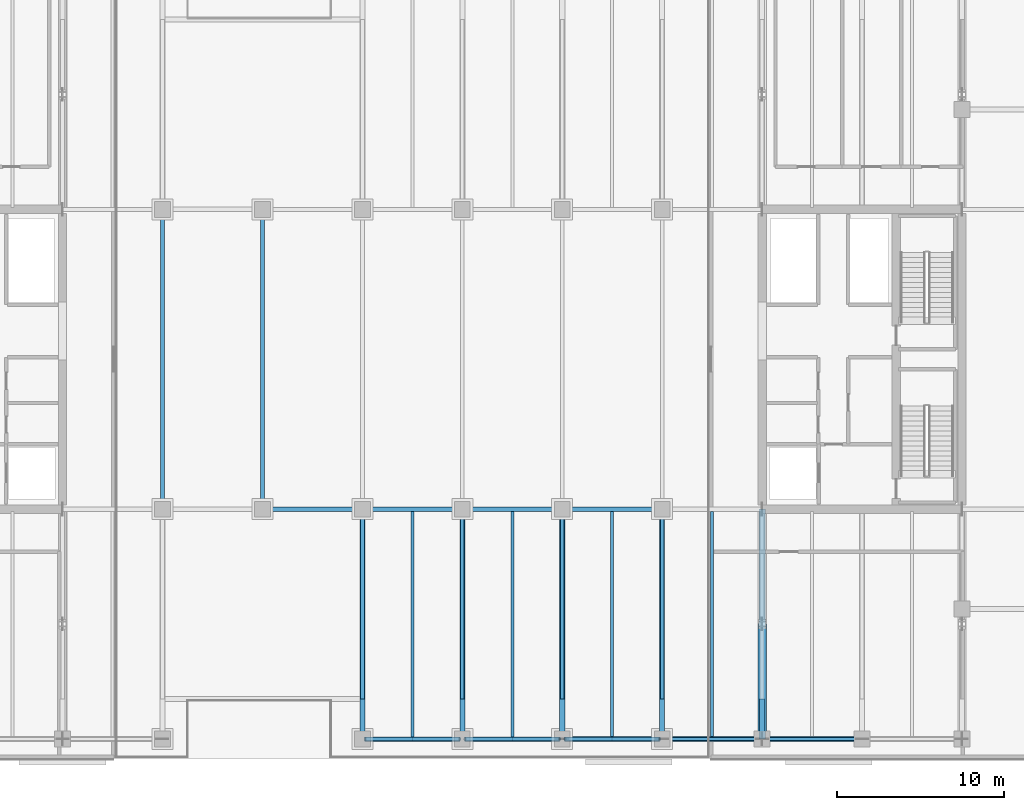
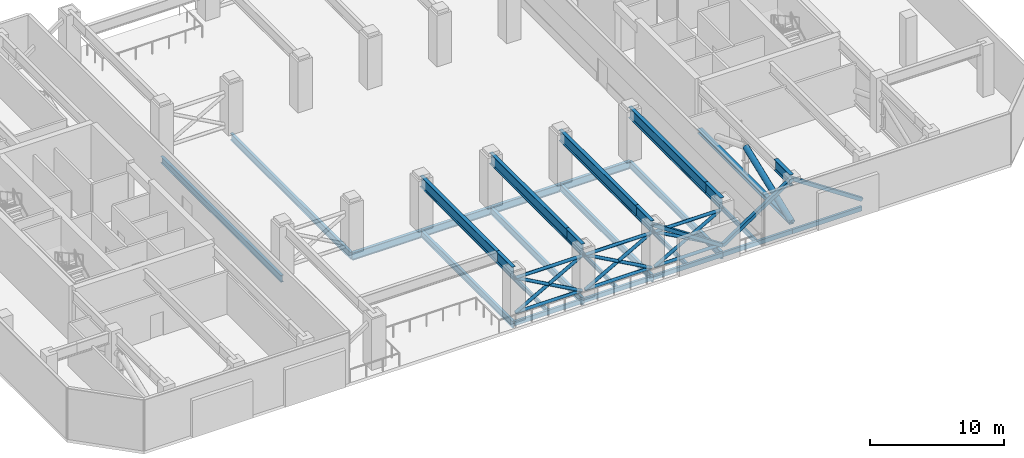
# One storey, part 3 of 21: 28 beams, 17 members.
"""IFC4 building model written with IfcOpenShell, lengths in metres."""

import ifcopenshell
import ifcopenshell.guid

model = None  # the IFC model being written
_history = None  # IfcOwnerHistory: only IFC2X3 demands one
_inside = {}  # id of a spatial element -> (the spatial element, [elements in it])
_under = {}  # id of a project, library or spatial element -> (it, [spatial elements below it])
_declared = {}  # id of a project -> (the project, [libraries it declares])
_typed = {}  # id of a type object -> (the type object, [elements of that type])
_made_of = {}  # id of a material, layer set ... -> (it, [elements and type objects made of it])


def new_model(schema):
    """Start an empty IFC model of exactly this schema.

    Asked for "IFC4X3", IfcOpenShell would pick the latest addendum, in which some entities
    have other attributes; the version numbers below select the first issue.
    IFC2X3 requires an IfcOwnerHistory on every rooted entity: one is made here for all.
    """
    global model, _history
    if schema == "IFC4X3":
        model = ifcopenshell.file(schema_version=(4, 3, 0, 0))
    else:
        model = ifcopenshell.file(schema=schema)
    _inside.clear()
    _under.clear()
    _declared.clear()
    _typed.clear()
    _made_of.clear()
    _history = None
    if model.schema == "IFC2X3":
        org = make("IfcOrganization", Name="unknown")
        user = make(
            "IfcPersonAndOrganization",
            ThePerson=make("IfcPerson", FamilyName="unknown"),
            TheOrganization=org,
        )
        app = make(
            "IfcApplication",
            ApplicationDeveloper=org,
            Version="unknown",
            ApplicationFullName="unknown",
            ApplicationIdentifier="unknown",
        )
        _history = make(
            "IfcOwnerHistory",
            OwningUser=user,
            OwningApplication=app,
            ChangeAction="ADDED",
            CreationDate=0,
        )
    return model


def make(cls, **values):
    """One entity of the class cls with the attributes given. An attribute that is None is left unset."""
    return model.create_entity(
        cls, **{name: value for name, value in values.items() if value is not None}
    )


def rooted(cls, **values):
    """An entity with a GlobalId (a new one), such as an element, a storey or a relation."""
    return make(cls, GlobalId=ifcopenshell.guid.new(), OwnerHistory=_history, **values)


def si_unit(unit_type, name, prefix=None):
    """IfcSIUnit, for example si_unit("LENGTHUNIT", "METRE", prefix="MILLI")."""
    return make("IfcSIUnit", UnitType=unit_type, Prefix=prefix, Name=name)


def assignment(units):
    """IfcUnitAssignment: the units of a project."""
    return None if units is None else make("IfcUnitAssignment", Units=units)


def point(xyz):
    """IfcCartesianPoint."""
    return None if xyz is None else make("IfcCartesianPoint", Coordinates=xyz)


def direction(xyz):
    """IfcDirection."""
    return None if xyz is None else make("IfcDirection", DirectionRatios=xyz)


def frame(location, z_axis=None, x_axis=None):
    """IfcAxis2Placement3D, a coordinate frame: its origin and axes. An axis left out is left unset."""
    return make(
        "IfcAxis2Placement3D",
        Location=point(location),
        Axis=direction(z_axis),
        RefDirection=direction(x_axis),
    )


def frame_2d(location, x_axis=None):
    """IfcAxis2Placement2D, a coordinate frame in the plane: its origin and x axis."""
    return make(
        "IfcAxis2Placement2D", Location=point(location), RefDirection=direction(x_axis)
    )


def origin():
    """The frame at (0, 0, 0) with its axes left unset."""
    return frame((0.0, 0.0, 0.0))


def origin_2d():
    """The frame at (0, 0) in the plane with its x axis left unset."""
    return frame_2d((0.0, 0.0))


def place(relative_to, where):
    """IfcLocalPlacement: puts the frame where relative to a parent placement (None: the world)."""
    return make(
        "IfcLocalPlacement", PlacementRelTo=relative_to, RelativePlacement=where
    )


def context(
    kind, dimensions, precision=None, world=None, true_north=None, identifier=None
):
    """IfcGeometricRepresentationContext, for example the 3D "Model" context."""
    return make(
        "IfcGeometricRepresentationContext",
        ContextIdentifier=identifier,
        ContextType=kind,
        CoordinateSpaceDimension=dimensions,
        Precision=precision,
        WorldCoordinateSystem=world,
        TrueNorth=true_north,
    )


def subcontext(parent, identifier, kind, view, scale=None):
    """IfcGeometricRepresentationSubContext, for example "Body" below "Model"."""
    return make(
        "IfcGeometricRepresentationSubContext",
        ContextIdentifier=identifier,
        ContextType=kind,
        ParentContext=parent,
        TargetScale=scale,
        TargetView=view,
    )


def project(units=None, contexts=None):
    """IfcProject with its units and contexts."""
    return rooted(
        "IfcProject",
        Name="project",
        RepresentationContexts=contexts,
        UnitsInContext=assignment(units),
    )


def spatial(cls, under=None, at=None, **own):
    """A site, building, storey or space (cls), placed at a placement, below another one or the project."""
    s = rooted(cls, ObjectPlacement=at, **own)
    if under is not None:
        _under.setdefault(under.id(), (under, []))[1].append(s)
    return s


def profile(cls, at=None, kind="AREA", **sizes):
    """A parametric profile (cls). Its sizes go by their IFC names, for example OverallWidth=200.0."""
    return make(cls, ProfileType=kind, Position=at, **sizes)


def hollow_rectangle(**sizes):
    """IfcRectangleHollowProfileDef."""
    return profile("IfcRectangleHollowProfileDef", **sizes)


def hollow_circle(**sizes):
    """IfcCircleHollowProfileDef."""
    return profile("IfcCircleHollowProfileDef", **sizes)


def i_section(**sizes):
    """IfcIShapeProfileDef."""
    return profile("IfcIShapeProfileDef", **sizes)


def extrude(swept, where, along, depth):
    """IfcExtrudedAreaSolid: the profile swept, set in the frame where, extruded along a direction by depth."""
    return make(
        "IfcExtrudedAreaSolid",
        SweptArea=swept,
        Position=where,
        ExtrudedDirection=direction(along),
        Depth=depth,
    )


def shape(context_of_items, identifier, shape_type, items):
    """IfcShapeRepresentation: the items that make up one representation, for example the "Body"."""
    return make(
        "IfcShapeRepresentation",
        ContextOfItems=context_of_items,
        RepresentationIdentifier=identifier,
        RepresentationType=shape_type,
        Items=items,
    )


def material(Name=None, Category=None):
    """IfcMaterial."""
    return make("IfcMaterial", Name=Name, Category=Category)


def material_profile(
    of_material, cross_section, Name=None, Category=None, Priority=None
):
    """IfcMaterialProfile: a cross section and its material."""
    return make(
        "IfcMaterialProfile",
        Name=Name,
        Material=of_material,
        Profile=cross_section,
        Priority=Priority,
        Category=Category,
    )


def profile_set(profiles, Name=None, composite=None):
    """IfcMaterialProfileSet."""
    return make(
        "IfcMaterialProfileSet",
        Name=Name,
        MaterialProfiles=profiles,
        CompositeProfile=composite,
    )


def made_of(thing, what):
    """Note that an element or type object is made of a material, layer set ...; save() writes the relation."""
    if what is not None:
        _made_of.setdefault(what.id(), (what, []))[1].append(thing)
    return thing


def type_object(cls, material=None, **own):
    """A type object (cls), such as IfcWallType, which elements share."""
    return made_of(rooted(cls, **own), material)


def element(
    cls,
    number,
    at=None,
    inside=None,
    cuts=None,
    type_object=None,
    material=None,
    context=None,
    identifier="Body",
    shape_type=None,
    held_by="IfcProductDefinitionShape",
    body=None,
    shapes=None,
    **own,
):
    """One element of the class cls, such as IfcWall. Its Tag is "e" and its number.

    at: its placement. inside: the storey or other place that contains it. cuts: it is an
    opening in that element (IfcRelVoidsElement). A single representation is given by context,
    identifier, shape_type and body (its items); several are given by shapes. held_by: the class
    of the entity that holds the representations. save() writes the other relations.
    """
    e = rooted(cls, Tag="e%d" % number, ObjectPlacement=at, **own)
    if body is not None:
        shapes = [shape(context, identifier, shape_type, body)]
    if shapes is not None:
        e.Representation = make(held_by, Representations=shapes)
    if inside is not None:
        _inside.setdefault(inside.id(), (inside, []))[1].append(e)
    if cuts is not None:
        rooted(
            "IfcRelVoidsElement", RelatingBuildingElement=cuts, RelatedOpeningElement=e
        )
    if type_object is not None:
        _typed.setdefault(type_object.id(), (type_object, []))[1].append(e)
    return made_of(e, material)


def aggregate(whole, parts):
    """IfcRelAggregates: a whole, such as a stair, and the parts it consists of."""
    return rooted("IfcRelAggregates", RelatingObject=whole, RelatedObjects=parts)


def save(model, path):
    """Write the relations noted so far, then the file.

    IfcRelAggregates (storeys below a building ...), IfcRelContainedInSpatialStructure (elements
    in a storey), IfcRelDefinesByType, IfcRelAssociatesMaterial and IfcRelDeclares: one each for
    every whole, place, type object, material and project.
    """
    for whole, parts in _under.values():
        aggregate(whole, parts)
    for where, things in _inside.values():
        rooted(
            "IfcRelContainedInSpatialStructure",
            RelatedElements=things,
            RelatingStructure=where,
        )
    for kind, things in _typed.values():
        rooted("IfcRelDefinesByType", RelatedObjects=things, RelatingType=kind)
    for what, things in _made_of.values():
        rooted("IfcRelAssociatesMaterial", RelatedObjects=things, RelatingMaterial=what)
    for by, libraries in _declared.values():
        rooted("IfcRelDeclares", RelatingContext=by, RelatedDefinitions=libraries)
    model.write(path)


model = new_model("IFC4")

# Units and contexts
model_context = context("Model", 3, precision=1e-05, world=origin(), true_north=direction((0.0, 1.0)))
body_context = subcontext(model_context, "Body", "Model", "MODEL_VIEW")
ifc_project = project(units=[si_unit("LENGTHUNIT", "METRE"), si_unit("AREAUNIT", "SQUARE_METRE"), si_unit("VOLUMEUNIT", "CUBIC_METRE"), si_unit("PLANEANGLEUNIT", "RADIAN"), si_unit("MASSUNIT", "GRAM", prefix="KILO")], contexts=[model_context])

# Site, building, storey
site_placement = place(None, origin())
site = spatial("IfcSite", under=ifc_project, at=site_placement, CompositionType="ELEMENT")
building_placement = place(site_placement, origin())
building = spatial("IfcBuilding", under=site, at=building_placement, Name="Tanjung Sevakor Pilgrim Tower", CompositionType="ELEMENT")
storey_placement = place(building_placement, frame((0.0, 0.0, 123.090087890625)))
storey = spatial("IfcBuildingStorey", under=building, at=storey_placement, Name="L34", CompositionType="ELEMENT", Elevation=123.090087890625)

# Beams
ifc_material_1 = material(Name="Steel S355J2", Category="steel")
ifc_material_profile_1 = material_profile(ifc_material_1, i_section(OverallWidth=0.25439453125, OverallDepth=0.6875, WebThickness=0.01318359375, FlangeThickness=0.02099609375, FilletRadius=0.01513671875, at=origin_2d()))
ifc_profile_set_1 = profile_set([ifc_material_profile_1], Name="Steel S355J2")
beam_type_1 = type_object("IfcBeamType", Name="BM-B-G2-UB_686x254x152", PredefinedType="BEAM", material=ifc_profile_set_1)
for number, where, z_axis, x_axis, name in (
    (1, (48.0, 24.60009765625, -0.623779296875), (1.0, 0.0, 0.0), (0.0, 1.0, 0.0), "L34 Primary Floor Girder MAIN Y246-04"),
    (2, (54.0, 24.60009765625, -0.623779296875), (1.0, 0.0, 0.0), (0.0, 1.0, 0.0), "L34 Primary Floor Girder MAIN Y246-05"),
    (3, (60.0, 24.60009765625, -0.623779296875), (1.0, 0.0, 0.0), (0.0, 1.0, 0.0), "L34 Primary Floor Girder MAIN Y246-06"),
    (4, (66.0, 24.60009765625, -0.623779296875), (1.0, 0.0, 0.0), (0.0, 1.0, 0.0), "L34 Primary Floor Girder MAIN Y246-07"),
):
    element("IfcBeam", number, at=place(storey_placement, frame(where, z_axis=z_axis, x_axis=x_axis)), inside=storey, type_object=beam_type_1, Name=name, PredefinedType="BEAM", context=body_context, shape_type="SweptSolid", body=[
        extrude(i_section(OverallWidth=0.25439453125, OverallDepth=0.6875, WebThickness=0.01318359375, FlangeThickness=0.02099609375, FilletRadius=0.01513671875, at=origin_2d()), origin(), (0.0, 0.0, 1.0), 6.0),
    ])
ifc_material_2 = material(Name="Steel S355J2", Category="steel")
ifc_material_profile_2 = material_profile(ifc_material_2, i_section(OverallWidth=0.230224609375, OverallDepth=0.6171875, WebThickness=0.01318359375, FlangeThickness=0.022216796875, FilletRadius=0.0126953125, at=origin_2d()))
ifc_profile_set_2 = profile_set([ifc_material_profile_2], Name="Steel S355J2")
beam_type_2 = type_object("IfcBeamType", Name="BM-B-G3-UB_610x229x140", PredefinedType="BEAM", material=ifc_profile_set_2)
for number, where, z_axis, x_axis, name in (
    (5, (42.0, 24.60009765625, -0.588623046875), (0.0, 1.0, 0.0), (-1.0, 0.0, 0.0), "L34 MAIN Girder 014"),
    (6, (48.0, 24.60009765625, -0.588623046875), (0.0, 1.0, 0.0), (-1.0, 0.0, 0.0), "L34 MAIN Girder 016"),
):
    element("IfcBeam", number, at=place(storey_placement, frame(where, z_axis=z_axis, x_axis=x_axis)), inside=storey, type_object=beam_type_2, Name=name, PredefinedType="BEAM", context=body_context, shape_type="SweptSolid", body=[
        extrude(i_section(OverallWidth=0.230224609375, OverallDepth=0.6171875, WebThickness=0.01318359375, FlangeThickness=0.022216796875, FilletRadius=0.0126953125, at=origin_2d()), origin(), (0.0, 0.0, 1.0), 18.0),
    ])
for number, where, z_axis, x_axis, name in (
    (7, (54.0, 10.800048828125, -0.588623046875), (0.0, 1.0, 0.0), (-1.0, 0.0, 0.0), "L34 MAIN Girder 017"),
    (8, (60.0, 10.800048828125, -0.588623046875), (0.0, 1.0, 0.0), (-1.0, 0.0, 0.0), "L34 MAIN Girder 022"),
    (9, (66.0, 10.800048828125, -0.588623046875), (0.0, 1.0, 0.0), (-1.0, 0.0, 0.0), "L34 MAIN Girder 027"),
    (10, (72.0, 10.800048828125, -0.588623046875), (0.0, 1.0, 0.0), (-1.0, 0.0, 0.0), "L34 MAIN Girder 032"),
):
    element("IfcBeam", number, at=place(storey_placement, frame(where, z_axis=z_axis, x_axis=x_axis)), inside=storey, type_object=beam_type_2, Name=name, PredefinedType="BEAM", context=body_context, shape_type="SweptSolid", body=[
        extrude(i_section(OverallWidth=0.230224609375, OverallDepth=0.6171875, WebThickness=0.01318359375, FlangeThickness=0.022216796875, FilletRadius=0.0126953125, at=origin_2d()), origin(), (0.0, 0.0, 1.0), 13.800048828125),
    ])
ifc_material_3 = material(Name="Steel S460M", Category="steel")
ifc_material_profile_3 = material_profile(ifc_material_3, i_section(OverallWidth=0.302001953125, OverallDepth=1.008056640625, WebThickness=0.02099609375, FlangeThickness=0.0400390625, FilletRadius=0.030029296875, at=origin_2d()))
ifc_profile_set_3 = profile_set([ifc_material_profile_3], Name="Steel S460M")
beam_type_3 = type_object("IfcBeamType", Name="BM-B-G7-HE_1000M", PredefinedType="BEAM", material=ifc_profile_set_3)
beam_1_placement = place(storey_placement, frame((54.0, 10.800048828125, 4.166015625), z_axis=(0.0, 1.0, 0.0), x_axis=(-1.0, 0.0, 0.0)))
element("IfcBeam", 11, at=beam_1_placement, inside=storey, type_object=beam_type_3, Name="L34 Setback Transfer Girder South X54-1", PredefinedType="BEAM", context=body_context, shape_type="SweptSolid", body=[
    extrude(i_section(OverallWidth=0.302001953125, OverallDepth=1.008056640625, WebThickness=0.02099609375, FlangeThickness=0.0400390625, FilletRadius=0.030029296875, at=origin_2d()), origin(), (0.0, 0.0, 1.0), 2.39990234375),
])
beam_2_placement = place(storey_placement, frame((54.0, 13.199951171875, 4.166015625), z_axis=(0.0, 1.0, 0.0), x_axis=(-1.0, 0.0, 0.0)))
element("IfcBeam", 12, at=beam_2_placement, inside=storey, type_object=beam_type_3, Name="L34 Setback Transfer Girder South X54-2", PredefinedType="BEAM", context=body_context, shape_type="SweptSolid", body=[
    extrude(i_section(OverallWidth=0.302001953125, OverallDepth=1.008056640625, WebThickness=0.02099609375, FlangeThickness=0.0400390625, FilletRadius=0.030029296875, at=origin_2d()), origin(), (0.0, 0.0, 1.0), 11.400146484375),
])
beam_3_placement = place(storey_placement, frame((60.0, 10.800048828125, 4.166015625), z_axis=(0.0, 1.0, 0.0), x_axis=(-1.0, 0.0, 0.0)))
element("IfcBeam", 13, at=beam_3_placement, inside=storey, type_object=beam_type_3, Name="L34 Setback Transfer Girder South X60-1", PredefinedType="BEAM", context=body_context, shape_type="SweptSolid", body=[
    extrude(i_section(OverallWidth=0.302001953125, OverallDepth=1.008056640625, WebThickness=0.02099609375, FlangeThickness=0.0400390625, FilletRadius=0.030029296875, at=origin_2d()), origin(), (0.0, 0.0, 1.0), 2.39990234375),
])
beam_4_placement = place(storey_placement, frame((60.0, 13.199951171875, 4.166015625), z_axis=(0.0, 1.0, 0.0), x_axis=(-1.0, 0.0, 0.0)))
element("IfcBeam", 14, at=beam_4_placement, inside=storey, type_object=beam_type_3, Name="L34 Setback Transfer Girder South X60-2", PredefinedType="BEAM", context=body_context, shape_type="SweptSolid", body=[
    extrude(i_section(OverallWidth=0.302001953125, OverallDepth=1.008056640625, WebThickness=0.02099609375, FlangeThickness=0.0400390625, FilletRadius=0.030029296875, at=origin_2d()), origin(), (0.0, 0.0, 1.0), 11.400146484375),
])
beam_5_placement = place(storey_placement, frame((66.0, 10.800048828125, 4.166015625), z_axis=(0.0, 1.0, 0.0), x_axis=(-1.0, 0.0, 0.0)))
element("IfcBeam", 15, at=beam_5_placement, inside=storey, type_object=beam_type_3, Name="L34 Setback Transfer Girder South X66-1", PredefinedType="BEAM", context=body_context, shape_type="SweptSolid", body=[
    extrude(i_section(OverallWidth=0.302001953125, OverallDepth=1.008056640625, WebThickness=0.02099609375, FlangeThickness=0.0400390625, FilletRadius=0.030029296875, at=origin_2d()), origin(), (0.0, 0.0, 1.0), 2.39990234375),
])
beam_6_placement = place(storey_placement, frame((66.0, 13.199951171875, 4.166015625), z_axis=(0.0, 1.0, 0.0), x_axis=(-1.0, 0.0, 0.0)))
element("IfcBeam", 16, at=beam_6_placement, inside=storey, type_object=beam_type_3, Name="L34 Setback Transfer Girder South X66-2", PredefinedType="BEAM", context=body_context, shape_type="SweptSolid", body=[
    extrude(i_section(OverallWidth=0.302001953125, OverallDepth=1.008056640625, WebThickness=0.02099609375, FlangeThickness=0.0400390625, FilletRadius=0.030029296875, at=origin_2d()), origin(), (0.0, 0.0, 1.0), 11.400146484375),
])
beam_7_placement = place(storey_placement, frame((72.0, 10.800048828125, 4.166015625), z_axis=(0.0, 1.0, 0.0), x_axis=(-1.0, 0.0, 0.0)))
element("IfcBeam", 17, at=beam_7_placement, inside=storey, type_object=beam_type_3, Name="L34 Setback Transfer Girder South X72-1", PredefinedType="BEAM", context=body_context, shape_type="SweptSolid", body=[
    extrude(i_section(OverallWidth=0.302001953125, OverallDepth=1.008056640625, WebThickness=0.02099609375, FlangeThickness=0.0400390625, FilletRadius=0.030029296875, at=origin_2d()), origin(), (0.0, 0.0, 1.0), 2.39990234375),
])
beam_8_placement = place(storey_placement, frame((72.0, 13.199951171875, 4.166015625), z_axis=(0.0, 1.0, 0.0), x_axis=(-1.0, 0.0, 0.0)))
element("IfcBeam", 18, at=beam_8_placement, inside=storey, type_object=beam_type_3, Name="L34 Setback Transfer Girder South X72-2", PredefinedType="BEAM", context=body_context, shape_type="SweptSolid", body=[
    extrude(i_section(OverallWidth=0.302001953125, OverallDepth=1.008056640625, WebThickness=0.02099609375, FlangeThickness=0.0400390625, FilletRadius=0.030029296875, at=origin_2d()), origin(), (0.0, 0.0, 1.0), 11.400146484375),
])
beam_9_placement = place(storey_placement, frame((78.0, 10.800048828125, 4.166015625), z_axis=(0.0, 1.0, 0.0), x_axis=(-1.0, 0.0, 0.0)))
element("IfcBeam", 19, at=beam_9_placement, inside=storey, type_object=beam_type_3, Name="L34 Setback Transfer Girder South X78-1", PredefinedType="BEAM", context=body_context, shape_type="SweptSolid", body=[
    extrude(i_section(OverallWidth=0.302001953125, OverallDepth=1.008056640625, WebThickness=0.02099609375, FlangeThickness=0.0400390625, FilletRadius=0.030029296875, at=origin_2d()), origin(), (0.0, 0.0, 1.0), 2.39990234375),
])
ifc_material_4 = material(Name="Steel S355J2", Category="steel")
ifc_material_profile_4 = material_profile(ifc_material_4, i_section(OverallWidth=0.1787109375, OverallDepth=0.409423828125, WebThickness=0.0087890625, FlangeThickness=0.014404296875, FilletRadius=0.01025390625, at=origin_2d()))
ifc_profile_set_4 = profile_set([ifc_material_profile_4], Name="Steel S355J2")
beam_type_4 = type_object("IfcBeamType", Name="BM-B-J3-UB_406x178x67", PredefinedType="JOIST", material=ifc_profile_set_4)
for number, where, z_axis, x_axis, name in (
    (20, (57.0, 10.89990234375, -0.48486328125), (0.0, 1.0, 0.0), (-1.0, 0.0, 0.0), "L34 MAIN Joist 020"),
    (21, (63.0, 10.89990234375, -0.48486328125), (0.0, 1.0, 0.0), (-1.0, 0.0, 0.0), "L34 MAIN Joist 025"),
    (22, (69.0, 10.89990234375, -0.48486328125), (0.0, 1.0, 0.0), (-1.0, 0.0, 0.0), "L34 MAIN Joist 030"),
    (23, (75.0, 10.89990234375, -0.48486328125), (0.0, 1.0, 0.0), (-1.0, 0.0, 0.0), "L34 MAIN Joist 035"),
):
    element("IfcBeam", number, at=place(storey_placement, frame(where, z_axis=z_axis, x_axis=x_axis)), inside=storey, type_object=beam_type_4, Name=name, PredefinedType="JOIST", context=body_context, shape_type="SweptSolid", body=[
        extrude(i_section(OverallWidth=0.1787109375, OverallDepth=0.409423828125, WebThickness=0.0087890625, FlangeThickness=0.014404296875, FilletRadius=0.01025390625, at=origin_2d()), origin(), (0.0, 0.0, 1.0), 13.57275390625),
    ])
ifc_material_5 = material(Name="Steel S355J2", Category="steel")
ifc_material_profile_5 = material_profile(ifc_material_5, hollow_rectangle(XDim=0.199951171875, YDim=0.39990234375, WallThickness=0.01611328125, at=origin_2d()))
ifc_profile_set_5 = profile_set([ifc_material_profile_5], Name="Steel S355J2")
beam_type_5 = type_object("IfcBeamType", Name="BM-B-SP2-RHS_400x200x16", PredefinedType="SPANDREL", material=ifc_profile_set_5)
for number, where, z_axis, x_axis, name in (
    (24, (54.0, 10.800048828125, -0.47998046875), (1.0, 0.0, 0.0), (0.0, 1.0, 0.0), "L34 Spandrel MAIN S-07"),
    (25, (60.0, 10.800048828125, -0.47998046875), (1.0, 0.0, 0.0), (0.0, 1.0, 0.0), "L34 Spandrel MAIN S-09"),
    (26, (66.0, 10.800048828125, -0.47998046875), (1.0, 0.0, 0.0), (0.0, 1.0, 0.0), "L34 Spandrel MAIN S-11"),
    (27, (72.0, 10.800048828125, -0.47998046875), (1.0, 0.0, 0.0), (0.0, 1.0, 0.0), "L34 Spandrel MAIN S-13"),
    (28, (78.0, 10.800048828125, -0.47998046875), (1.0, 0.0, 0.0), (0.0, 1.0, 0.0), "L34 Spandrel MAIN S-15"),
):
    element("IfcBeam", number, at=place(storey_placement, frame(where, z_axis=z_axis, x_axis=x_axis)), inside=storey, type_object=beam_type_5, Name=name, PredefinedType="SPANDREL", context=body_context, shape_type="SweptSolid", body=[
        extrude(hollow_rectangle(XDim=0.199951171875, YDim=0.39990234375, WallThickness=0.01611328125, at=origin_2d()), origin(), (0.0, 0.0, 1.0), 6.0),
    ])

# Members
ifc_material_6 = material(Name="Steel S460M", Category="steel")
ifc_material_profile_6 = material_profile(ifc_material_6, hollow_circle(Radius=0.25390625, WallThickness=0.02490234375, at=origin_2d()))
ifc_profile_set_6 = profile_set([ifc_material_profile_6], Name="Steel S460M")
member_type_1 = type_object("IfcMemberType", Name="MEM-M-BR3-CHS_508x25", PredefinedType="BRACE", material=ifc_profile_set_6)
member_1_placement = place(storey_placement, frame((78.0, 10.800048828125, 0.349853515625), z_axis=(0.0, 0.93170119451, 0.363225665597), x_axis=(-1.0, 0.0, 0.0)))
element("IfcMember", 29, at=member_1_placement, inside=storey, type_object=member_type_1, Name="OT-2 L34 Outrigger Truss Diagonal 1 X78 S", PredefinedType="BRACE", context=body_context, shape_type="SweptSolid", body=[
    extrude(hollow_circle(Radius=0.25390625, WallThickness=0.02490234375, at=origin_2d()), origin(), (0.0, 0.0, 1.0), 7.40576171875),
])
ifc_material_7 = material(Name="Steel S460M", Category="steel")
ifc_material_profile_7 = material_profile(ifc_material_7, hollow_rectangle(XDim=0.300048828125, YDim=0.300048828125, WallThickness=0.01611328125, at=origin_2d()))
ifc_profile_set_7 = profile_set([ifc_material_profile_7], Name="Steel S460M")
member_type_2 = type_object("IfcMemberType", Name="MEM-M-BR8-SHS_300x300x16", PredefinedType="BRACE", material=ifc_profile_set_7)
for number, where, z_axis, x_axis, name in (
    (30, (66.0, 10.800048828125, 4.3359375), (0.832940851568, 0.0, -0.553362031395), (0.0, 1.0, 0.0), "BT-1 L34 Belt Truss Diagonal Brace S-04"),
    (31, (72.0, 10.800048828125, 0.349853515625), (0.832940851568, 0.0, 0.553362031395), (0.0, 1.0, 0.0), "BT-1 L34 Belt Truss Diagonal Brace S-05"),
    (32, (78.0, 10.800048828125, 4.3359375), (0.832940851568, 0.0, -0.553362031395), (0.0, 1.0, 0.0), "BT-1 L34 Belt Truss Diagonal Brace S-06"),
):
    element("IfcMember", number, at=place(storey_placement, frame(where, z_axis=z_axis, x_axis=x_axis)), inside=storey, type_object=member_type_2, Name=name, PredefinedType="BRACE", context=body_context, shape_type="SweptSolid", body=[
        extrude(hollow_rectangle(XDim=0.300048828125, YDim=0.300048828125, WallThickness=0.01611328125, at=origin_2d()), origin(), (0.0, 0.0, 1.0), 7.203369140625),
    ])
ifc_material_8 = material(Name="Steel S460M", Category="steel")
ifc_material_profile_8 = material_profile(ifc_material_8, i_section(OverallWidth=0.39892578125, OverallDepth=0.3935546875, WebThickness=0.022705078125, FlangeThickness=0.03662109375, FilletRadius=0.01513671875, at=origin_2d()))
ifc_profile_set_8 = profile_set([ifc_material_profile_8], Name="Steel S460M")
member_type_3 = type_object("IfcMemberType", Name="MEM-M-CH3-UC_356x406x287", PredefinedType="CHORD", material=ifc_profile_set_8)
member_2_placement = place(storey_placement, frame((78.0, 10.800048828125, 0.349853515625), z_axis=(0.0, 1.0, 0.0), x_axis=(-1.0, 0.0, 0.0)))
element("IfcMember", 33, at=member_2_placement, inside=storey, type_object=member_type_3, Name="OT-1 L34 Outrigger Truss Chord X78 S", PredefinedType="CHORD", context=body_context, shape_type="SweptSolid", body=[
    extrude(i_section(OverallWidth=0.39892578125, OverallDepth=0.3935546875, WebThickness=0.022705078125, FlangeThickness=0.03662109375, FilletRadius=0.01513671875, at=origin_2d()), origin(), (0.0, 0.0, 1.0), 13.800048828125),
])
ifc_material_9 = material(Name="Steel S355J2", Category="steel")
ifc_material_profile_9 = material_profile(ifc_material_9, hollow_circle(Radius=0.136474609375, WallThickness=0.012451171875, at=origin_2d()))
ifc_profile_set_9 = profile_set([ifc_material_profile_9], Name="Steel S355J2")
member_type_4 = type_object("IfcMemberType", Name="TYPE-MB-TURBINE", PredefinedType="USERDEFINED", material=ifc_profile_set_9)
for number, where, z_axis, x_axis, name in (
    (34, (54.14990234375, 10.800048828125, 0.449951171875), (1.0, 0.0, 0.0), (0.0, 1.0, 0.0), "L34 Wind Turbine Shroud BOT WTURB-L34-S2"),
    (35, (54.14990234375, 10.800048828125, 3.619873046875), (1.0, 0.0, 0.0), (0.0, 1.0, 0.0), "L34 Wind Turbine Shroud TOP WTURB-L34-S2"),
):
    element("IfcMember", number, at=place(storey_placement, frame(where, z_axis=z_axis, x_axis=x_axis)), inside=storey, type_object=member_type_4, Name=name, ObjectType="TURBINE_FRAME", PredefinedType="USERDEFINED", context=body_context, shape_type="SweptSolid", body=[
        extrude(hollow_circle(Radius=0.136474609375, WallThickness=0.012451171875, at=origin_2d()), origin(), (0.0, 0.0, 1.0), 5.7001953125),
    ])
for number, where, z_axis, x_axis, name in (
    (36, (54.14990234375, 10.800048828125, 0.449951171875), (0.87395238411, 0.0, 0.486011553678), (0.0, 1.0, 0.0), "L34 Wind Turbine Shroud BL1 WTURB-L34-S2"),
    (37, (54.14990234375, 10.800048828125, 3.619873046875), (0.87395238411, 0.0, -0.486011553678), (0.0, 1.0, 0.0), "L34 Wind Turbine Shroud BL2 WTURB-L34-S2"),
):
    element("IfcMember", number, at=place(storey_placement, frame(where, z_axis=z_axis, x_axis=x_axis)), inside=storey, type_object=member_type_4, Name=name, ObjectType="TURBINE_FRAME", PredefinedType="USERDEFINED", context=body_context, shape_type="SweptSolid", body=[
        extrude(hollow_circle(Radius=0.136474609375, WallThickness=0.012451171875, at=origin_2d()), origin(), (0.0, 0.0, 1.0), 6.522216796875),
    ])
for number, where, z_axis, x_axis, name in (
    (38, (60.14990234375, 10.800048828125, 0.449951171875), (1.0, 0.0, 0.0), (0.0, 1.0, 0.0), "L34 Wind Turbine Shroud BOT WTURB-L34-S3"),
    (39, (60.14990234375, 10.800048828125, 3.619873046875), (1.0, 0.0, 0.0), (0.0, 1.0, 0.0), "L34 Wind Turbine Shroud TOP WTURB-L34-S3"),
):
    element("IfcMember", number, at=place(storey_placement, frame(where, z_axis=z_axis, x_axis=x_axis)), inside=storey, type_object=member_type_4, Name=name, ObjectType="TURBINE_FRAME", PredefinedType="USERDEFINED", context=body_context, shape_type="SweptSolid", body=[
        extrude(hollow_circle(Radius=0.136474609375, WallThickness=0.012451171875, at=origin_2d()), origin(), (0.0, 0.0, 1.0), 5.7001953125),
    ])
for number, where, z_axis, x_axis, name in (
    (40, (60.14990234375, 10.800048828125, 0.449951171875), (0.87395238411, 0.0, 0.486011553678), (0.0, 1.0, 0.0), "L34 Wind Turbine Shroud BL1 WTURB-L34-S3"),
    (41, (60.14990234375, 10.800048828125, 3.619873046875), (0.87395238411, 0.0, -0.486011553678), (0.0, 1.0, 0.0), "L34 Wind Turbine Shroud BL2 WTURB-L34-S3"),
):
    element("IfcMember", number, at=place(storey_placement, frame(where, z_axis=z_axis, x_axis=x_axis)), inside=storey, type_object=member_type_4, Name=name, ObjectType="TURBINE_FRAME", PredefinedType="USERDEFINED", context=body_context, shape_type="SweptSolid", body=[
        extrude(hollow_circle(Radius=0.136474609375, WallThickness=0.012451171875, at=origin_2d()), origin(), (0.0, 0.0, 1.0), 6.522216796875),
    ])
for number, where, z_axis, x_axis, name in (
    (42, (66.14990234375, 10.800048828125, 0.449951171875), (1.0, 0.0, 0.0), (0.0, 1.0, 0.0), "L34 Wind Turbine Shroud BOT WTURB-L34-S4"),
    (43, (66.14990234375, 10.800048828125, 3.619873046875), (1.0, 0.0, 0.0), (0.0, 1.0, 0.0), "L34 Wind Turbine Shroud TOP WTURB-L34-S4"),
):
    element("IfcMember", number, at=place(storey_placement, frame(where, z_axis=z_axis, x_axis=x_axis)), inside=storey, type_object=member_type_4, Name=name, ObjectType="TURBINE_FRAME", PredefinedType="USERDEFINED", context=body_context, shape_type="SweptSolid", body=[
        extrude(hollow_circle(Radius=0.136474609375, WallThickness=0.012451171875, at=origin_2d()), origin(), (0.0, 0.0, 1.0), 5.7001953125),
    ])
for number, where, z_axis, x_axis, name in (
    (44, (66.14990234375, 10.800048828125, 0.449951171875), (0.87395238411, 0.0, 0.486011553678), (0.0, 1.0, 0.0), "L34 Wind Turbine Shroud BL1 WTURB-L34-S4"),
    (45, (66.14990234375, 10.800048828125, 3.619873046875), (0.87395238411, 0.0, -0.486011553678), (0.0, 1.0, 0.0), "L34 Wind Turbine Shroud BL2 WTURB-L34-S4"),
):
    element("IfcMember", number, at=place(storey_placement, frame(where, z_axis=z_axis, x_axis=x_axis)), inside=storey, type_object=member_type_4, Name=name, ObjectType="TURBINE_FRAME", PredefinedType="USERDEFINED", context=body_context, shape_type="SweptSolid", body=[
        extrude(hollow_circle(Radius=0.136474609375, WallThickness=0.012451171875, at=origin_2d()), origin(), (0.0, 0.0, 1.0), 6.522216796875),
    ])

save(model, "model.ifc")
